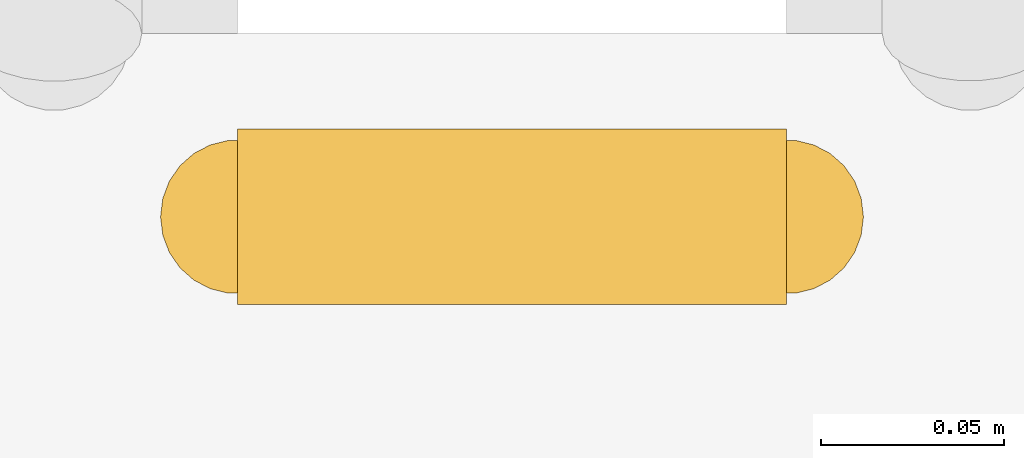
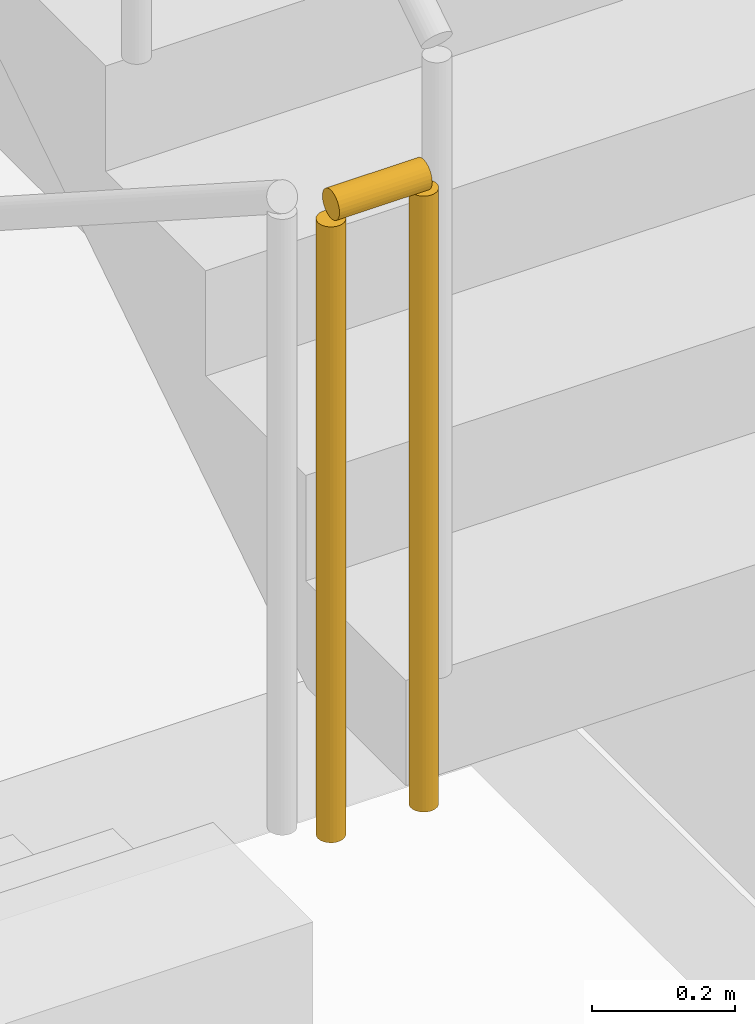
# One storey, part 11 of 15: 1 railing.
"""IFC4 building model written with IfcOpenShell, lengths in metres."""

from ifc_helpers import new_model, si_unit, direction, frame, origin, origin_2d, place, context, subcontext, project, spatial, circle, extrude, material, type_object, element, save


model = new_model("IFC4")

# Units and contexts
model_context = context("Model", 3, precision=1e-05, world=origin(), true_north=direction((0.0, 1.0)))
body_context = subcontext(model_context, "Body", "Model", "MODEL_VIEW")
ifc_project = project(units=[si_unit("LENGTHUNIT", "METRE"), si_unit("AREAUNIT", "SQUARE_METRE"), si_unit("VOLUMEUNIT", "CUBIC_METRE"), si_unit("PLANEANGLEUNIT", "RADIAN"), si_unit("MASSUNIT", "GRAM", prefix="KILO")], contexts=[model_context])

# Site, building, storey
site_placement = place(None, origin())
site = spatial("IfcSite", under=ifc_project, at=site_placement, CompositionType="ELEMENT")
building_placement = place(site_placement, origin())
building = spatial("IfcBuilding", under=site, at=building_placement, Name="Oramaril Tower", CompositionType="ELEMENT")
storey_placement = place(building_placement, frame((0.0, 0.0, 48.89990234375)))
storey = spatial("IfcBuildingStorey", under=building, at=storey_placement, Name="L12", CompositionType="ELEMENT", Elevation=48.89990234375)

# Railing
ifc_material = material(Name="Stainless Steel 316L", Category="steel")
railing_type = type_object("IfcRailingType", Name="RLT-GRD", PredefinedType="GUARDRAIL", material=ifc_material)
railing_placement = place(storey_placement, frame((31.510009765625, 15.02001953125, 1.800048828125)))
element("IfcRailing", 1, at=railing_placement, inside=storey, type_object=railing_type, Name="L12 ST-1 stair guard 2", PredefinedType="GUARDRAIL", context=body_context, shape_type="SweptSolid", body=[
    extrude(circle(Radius=0.02392578125, at=origin_2d()), frame((0.0, 0.0, 1.076171875), z_axis=(1.0, 0.0, 0.0), x_axis=(0.0, 1.0, 0.0)), (0.0, 0.0, 1.0), 0.14990234375),
    extrude(circle(Radius=0.02099609375, at=origin_2d()), origin(), (0.0, 0.0, 1.0), 1.052001953125),
    extrude(circle(Radius=0.02099609375, at=origin_2d()), frame((0.14990234375, 0.0, 0.0)), (0.0, 0.0, 1.0), 1.052001953125),
])

save(model, "model.ifc")
